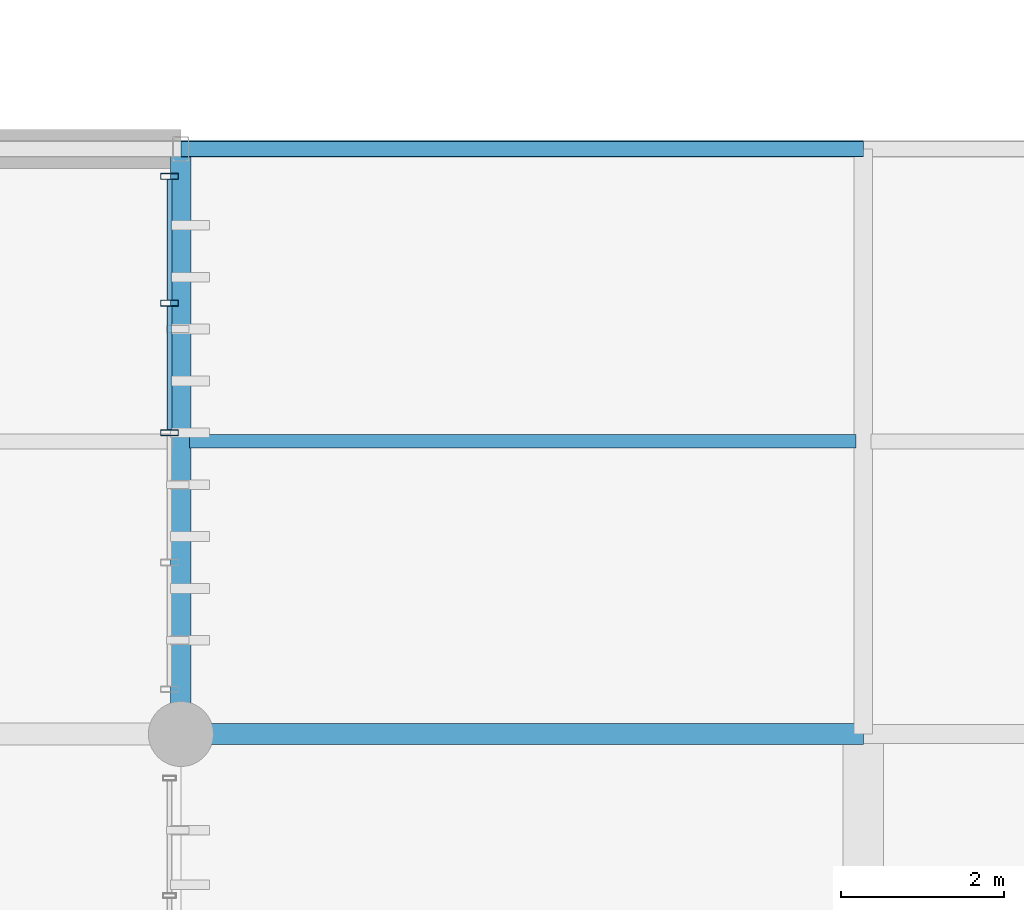
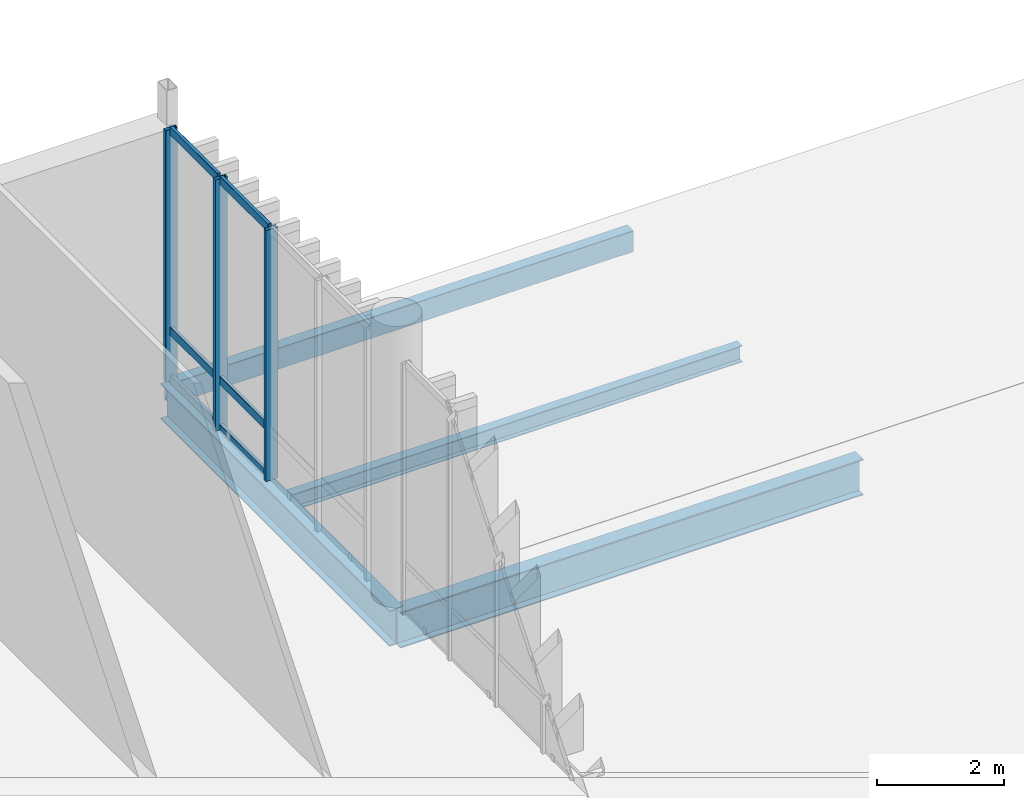
# One storey, part 53 of 112: 9 members, 4 beams, 1 element without a shape of its own.
"""IFC4 building model written with IfcOpenShell, lengths in metres."""

from ifc_helpers import new_model, si_unit, direction, frame, origin_with_axes, origin_2d_with_axis, place, context, subcontext, project, spatial, hollow_rectangle, i_section, extrude, material, material_profile, profile_set, type_object, element, aggregate, save


model = new_model("IFC4")

# Units and contexts
model_context = context("Model", 3, precision=1e-05, world=origin_with_axes(), true_north=direction((0.0, 1.0)))
body_context = subcontext(model_context, "Body", "Model", "MODEL_VIEW")
ifc_project = project(units=[si_unit("LENGTHUNIT", "METRE"), si_unit("AREAUNIT", "SQUARE_METRE"), si_unit("VOLUMEUNIT", "CUBIC_METRE"), si_unit("PLANEANGLEUNIT", "RADIAN"), si_unit("MASSUNIT", "GRAM", prefix="KILO"), si_unit("THERMODYNAMICTEMPERATUREUNIT", "KELVIN")], contexts=[model_context])

# Site, building, storey
site_placement = place(None, origin_with_axes())
site = spatial("IfcSite", under=ifc_project, at=site_placement, CompositionType="ELEMENT")
building_placement = place(site_placement, origin_with_axes())
building = spatial("IfcBuilding", under=site, at=building_placement, Name="Montbau Bow Law Courts", CompositionType="ELEMENT")
storey_placement = place(building_placement, origin_with_axes())
storey = spatial("IfcBuildingStorey", under=building, at=storey_placement, Name="L00", CompositionType="ELEMENT", Elevation=0.0)

# Beams
ifc_material_1 = material(Name="Steel CSA G40.21 Grade 350W (350 MPa)", Category="steel")
ifc_material_profile_1 = material_profile(ifc_material_1, i_section(OverallWidth=0.254, OverallDepth=0.688, WebThickness=0.0131, FlangeThickness=0.0211, at=origin_2d_with_axis()), Name="W690X152", Category="Main", Priority=0)
ifc_profile_set_1 = profile_set([ifc_material_profile_1], Name="Steel CSA G40.21 Grade 350W (350 MPa)")
beam_type_1 = type_object("IfcBeamType", Name="B-FLR-04", PredefinedType="BEAM", material=ifc_profile_set_1)
beam_1_placement = place(None, frame((97.2, 54.6, -0.634), z_axis=(1.0, 0.0, 0.0), x_axis=(0.0, 1.0, 0.0)))
element("IfcBeam", 1, at=beam_1_placement, inside=storey, type_object=beam_type_1, Name="BM-L00-S0220:bm2_0223", PredefinedType="BEAM", context=body_context, shape_type="SweptSolid", body=[
    extrude(i_section(OverallWidth=0.254, OverallDepth=0.688, WebThickness=0.0131, FlangeThickness=0.0211, at=origin_2d_with_axis()), origin_with_axes(), (0.0, 0.0, 1.0), 8.4),
])
beam_2_placement = place(None, frame((97.2, 54.6, -0.634), z_axis=(0.0, 1.0, 0.0), x_axis=(-1.0, 0.0, 0.0)))
element("IfcBeam", 2, at=beam_2_placement, inside=storey, type_object=beam_type_1, Name="BM-L00-S0311:bm2_0314", PredefinedType="BEAM", context=body_context, shape_type="SweptSolid", body=[
    extrude(i_section(OverallWidth=0.254, OverallDepth=0.688, WebThickness=0.0131, FlangeThickness=0.0211, at=origin_2d_with_axis()), origin_with_axes(), (0.0, 0.0, 1.0), 7.2),
])
ifc_material_profile_2 = material_profile(ifc_material_1, i_section(OverallWidth=0.166, OverallDepth=0.313, WebThickness=0.0066, FlangeThickness=0.0112, at=origin_2d_with_axis()), Name="W310X45", Category="Main", Priority=0)
ifc_profile_set_2 = profile_set([ifc_material_profile_2], Name="Steel CSA G40.21 Grade 350W (350 MPa)")
beam_type_2 = type_object("IfcBeamType", Name="B-JST-04", PredefinedType="JOIST", material=ifc_profile_set_2)
beam_3_placement = place(None, frame((97.303, 58.2, -0.447), z_axis=(1.0, 0.0, 0.0), x_axis=(0.0, 1.0, 0.0)))
element("IfcBeam", 3, at=beam_3_placement, inside=storey, type_object=beam_type_2, Name="JST-L00-S0103:jst2_0103", PredefinedType="JOIST", context=body_context, shape_type="SweptSolid", body=[
    extrude(i_section(OverallWidth=0.166, OverallDepth=0.313, WebThickness=0.0066, FlangeThickness=0.0112, at=origin_2d_with_axis()), origin_with_axes(), (0.0, 0.0, 1.0), 8.206),
])
ifc_material_2 = material(Name="Steel CSA G40.21 Grade 350WT (350 MPa)", Category="steel")
ifc_material_profile_3 = material_profile(ifc_material_2, hollow_rectangle(XDim=0.203, YDim=0.406, WallThickness=0.0127, InnerFilletRadius=0.0254, OuterFilletRadius=0.0127, at=origin_2d_with_axis()), Name="HSS406X203X13", Category="Main", Priority=0)
ifc_profile_set_3 = profile_set([ifc_material_profile_3], Name="Steel CSA G40.21 Grade 350WT (350 MPa)")
beam_type_3 = type_object("IfcBeamType", Name="B-SPN-01", PredefinedType="SPANDREL", material=ifc_profile_set_3)
beam_4_placement = place(None, frame((97.2, 61.8, -0.493), z_axis=(1.0, 0.0, 0.0), x_axis=(0.0, 1.0, 0.0)))
element("IfcBeam", 4, at=beam_4_placement, inside=storey, type_object=beam_type_3, Name="SPN-L00-S0233:bm2_0236", PredefinedType="SPANDREL", context=body_context, shape_type="SweptSolid", body=[
    extrude(hollow_rectangle(XDim=0.203, YDim=0.406, WallThickness=0.0127, InnerFilletRadius=0.0254, OuterFilletRadius=0.0127, at=origin_2d_with_axis()), origin_with_axes(), (0.0, 0.0, 1.0), 8.4),
])

# Curtain wall, members
ifc_material_3 = material(Name="Thermally Broken Extruded Aluminium AA 6063-T6", Category="aluminium")
curtain_wall_type = type_object("IfcCurtainWallType", Name="CW-CRM-01", PredefinedType="NOTDEFINED", material=ifc_material_3)
curtain_wall_placement = place(None, frame((97.06, 55.115, 0.0), z_axis=(0.0, 0.0, 1.0), x_axis=(1.0, 0.0, 0.0)))
curtain_wall = element("IfcCurtainWall", 5, at=curtain_wall_placement, inside=storey, type_object=curtain_wall_type, Name="CW-L00-138:cw_0138", PredefinedType="NOTDEFINED")
ifc_material_profile_4 = material_profile(ifc_material_3, hollow_rectangle(XDim=0.075, YDim=0.22, WallThickness=0.005, InnerFilletRadius=0.01, OuterFilletRadius=0.005, at=origin_2d_with_axis()), Name="CWM-220X75", Category="Main", Priority=0)
ifc_profile_set_4 = profile_set([ifc_material_profile_4], Name="Thermally Broken Extruded Aluminium AA 6063-T6")
member_type_1 = type_object("IfcMemberType", Name="M-MUL-01", PredefinedType="MULLION", material=ifc_profile_set_4)
member_1_placement = place(None, frame((97.06, 58.307, 0.0), z_axis=(0.0, 0.0, 1.0), x_axis=(0.0, 1.0, 0.0)))
member_1 = element("IfcMember", 6, at=member_1_placement, type_object=member_type_1, Name="CW-L00-138-M03:cw_0138_M03", PredefinedType="MULLION", context=body_context, shape_type="SweptSolid", body=[
    extrude(hollow_rectangle(XDim=0.075, YDim=0.22, WallThickness=0.005, InnerFilletRadius=0.01, OuterFilletRadius=0.005, at=origin_2d_with_axis()), origin_with_axes(), (0.0, 0.0, 1.0), 4.82),
])
member_2_placement = place(None, frame((97.06, 59.903, 0.0), z_axis=(0.0, 0.0, 1.0), x_axis=(0.0, 1.0, 0.0)))
member_2 = element("IfcMember", 7, at=member_2_placement, type_object=member_type_1, Name="CW-L00-138-M04:cw_0138_M04", PredefinedType="MULLION", context=body_context, shape_type="SweptSolid", body=[
    extrude(hollow_rectangle(XDim=0.075, YDim=0.22, WallThickness=0.005, InnerFilletRadius=0.01, OuterFilletRadius=0.005, at=origin_2d_with_axis()), origin_with_axes(), (0.0, 0.0, 1.0), 4.82),
])
member_3_placement = place(None, frame((97.06, 61.462, 0.0), z_axis=(0.0, 0.0, 1.0), x_axis=(0.0, 1.0, 0.0)))
member_3 = element("IfcMember", 8, at=member_3_placement, type_object=member_type_1, Name="CW-L00-138-M05:cw_0138_M05", PredefinedType="MULLION", context=body_context, shape_type="SweptSolid", body=[
    extrude(hollow_rectangle(XDim=0.075, YDim=0.22, WallThickness=0.005, InnerFilletRadius=0.01, OuterFilletRadius=0.005, at=origin_2d_with_axis()), origin_with_axes(), (0.0, 0.0, 1.0), 4.82),
])
ifc_material_profile_5 = material_profile(ifc_material_3, hollow_rectangle(XDim=0.06, YDim=0.16, WallThickness=0.004, InnerFilletRadius=0.008, OuterFilletRadius=0.004, at=origin_2d_with_axis()), Name="CWT-160X60", Category="Main", Priority=0)
ifc_profile_set_5 = profile_set([ifc_material_profile_5], Name="Thermally Broken Extruded Aluminium AA 6063-T6")
member_type_2 = type_object("IfcMemberType", Name="M-TRN-01", PredefinedType="USERDEFINED", material=ifc_profile_set_5)
member_4_placement = place(None, frame((97.06, 58.347, 0.03), z_axis=(0.0, 1.0, 0.0), x_axis=(-1.0, 0.0, 0.0)))
member_4 = element("IfcMember", 9, at=member_4_placement, type_object=member_type_2, Name="CW-L00-138-T03-1:cw_0138_T03_1", ObjectType="TRANSOM", PredefinedType="USERDEFINED", context=body_context, shape_type="SweptSolid", body=[
    extrude(hollow_rectangle(XDim=0.06, YDim=0.16, WallThickness=0.004, InnerFilletRadius=0.008, OuterFilletRadius=0.004, at=origin_2d_with_axis()), origin_with_axes(), (0.0, 0.0, 1.0), 1.517),
])
member_5_placement = place(None, frame((97.06, 58.347, 0.95), z_axis=(0.0, 1.0, 0.0), x_axis=(-1.0, 0.0, 0.0)))
member_5 = element("IfcMember", 10, at=member_5_placement, type_object=member_type_2, Name="CW-L00-138-T03-2:cw_0138_T03_2", ObjectType="TRANSOM", PredefinedType="USERDEFINED", context=body_context, shape_type="SweptSolid", body=[
    extrude(hollow_rectangle(XDim=0.06, YDim=0.16, WallThickness=0.004, InnerFilletRadius=0.008, OuterFilletRadius=0.004, at=origin_2d_with_axis()), origin_with_axes(), (0.0, 0.0, 1.0), 1.517),
])
member_6_placement = place(None, frame((97.06, 58.347, 4.79), z_axis=(0.0, 1.0, 0.0), x_axis=(-1.0, 0.0, 0.0)))
member_6 = element("IfcMember", 11, at=member_6_placement, type_object=member_type_2, Name="CW-L00-138-T03-3:cw_0138_T03_3", ObjectType="TRANSOM", PredefinedType="USERDEFINED", context=body_context, shape_type="SweptSolid", body=[
    extrude(hollow_rectangle(XDim=0.06, YDim=0.16, WallThickness=0.004, InnerFilletRadius=0.008, OuterFilletRadius=0.004, at=origin_2d_with_axis()), origin_with_axes(), (0.0, 0.0, 1.0), 1.517),
])
member_7_placement = place(None, frame((97.06, 59.942, 0.03), z_axis=(0.0, 1.0, 0.0), x_axis=(-1.0, 0.0, 0.0)))
member_7 = element("IfcMember", 12, at=member_7_placement, type_object=member_type_2, Name="CW-L00-138-T04-1:cw_0138_T04_1", ObjectType="TRANSOM", PredefinedType="USERDEFINED", context=body_context, shape_type="SweptSolid", body=[
    extrude(hollow_rectangle(XDim=0.06, YDim=0.16, WallThickness=0.004, InnerFilletRadius=0.008, OuterFilletRadius=0.004, at=origin_2d_with_axis()), origin_with_axes(), (0.0, 0.0, 1.0), 1.481),
])
member_8_placement = place(None, frame((97.06, 59.942, 0.95), z_axis=(0.0, 1.0, 0.0), x_axis=(-1.0, 0.0, 0.0)))
member_8 = element("IfcMember", 13, at=member_8_placement, type_object=member_type_2, Name="CW-L00-138-T04-2:cw_0138_T04_2", ObjectType="TRANSOM", PredefinedType="USERDEFINED", context=body_context, shape_type="SweptSolid", body=[
    extrude(hollow_rectangle(XDim=0.06, YDim=0.16, WallThickness=0.004, InnerFilletRadius=0.008, OuterFilletRadius=0.004, at=origin_2d_with_axis()), origin_with_axes(), (0.0, 0.0, 1.0), 1.481),
])
member_9_placement = place(None, frame((97.06, 59.942, 4.79), z_axis=(0.0, 1.0, 0.0), x_axis=(-1.0, 0.0, 0.0)))
member_9 = element("IfcMember", 14, at=member_9_placement, type_object=member_type_2, Name="CW-L00-138-T04-3:cw_0138_T04_3", ObjectType="TRANSOM", PredefinedType="USERDEFINED", context=body_context, shape_type="SweptSolid", body=[
    extrude(hollow_rectangle(XDim=0.06, YDim=0.16, WallThickness=0.004, InnerFilletRadius=0.008, OuterFilletRadius=0.004, at=origin_2d_with_axis()), origin_with_axes(), (0.0, 0.0, 1.0), 1.481),
])
aggregate(curtain_wall, [member_1, member_2, member_3, member_4, member_5, member_6, member_7, member_8, member_9])

save(model, "model.ifc")
